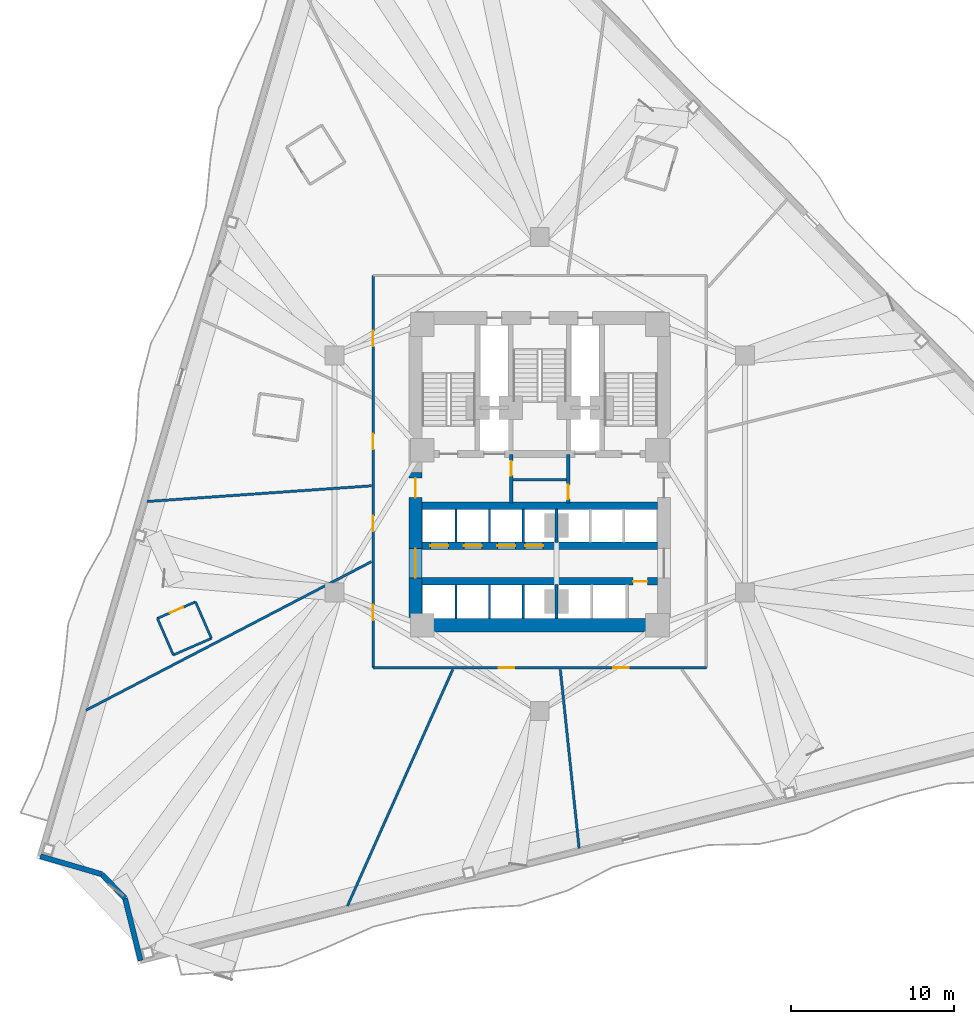
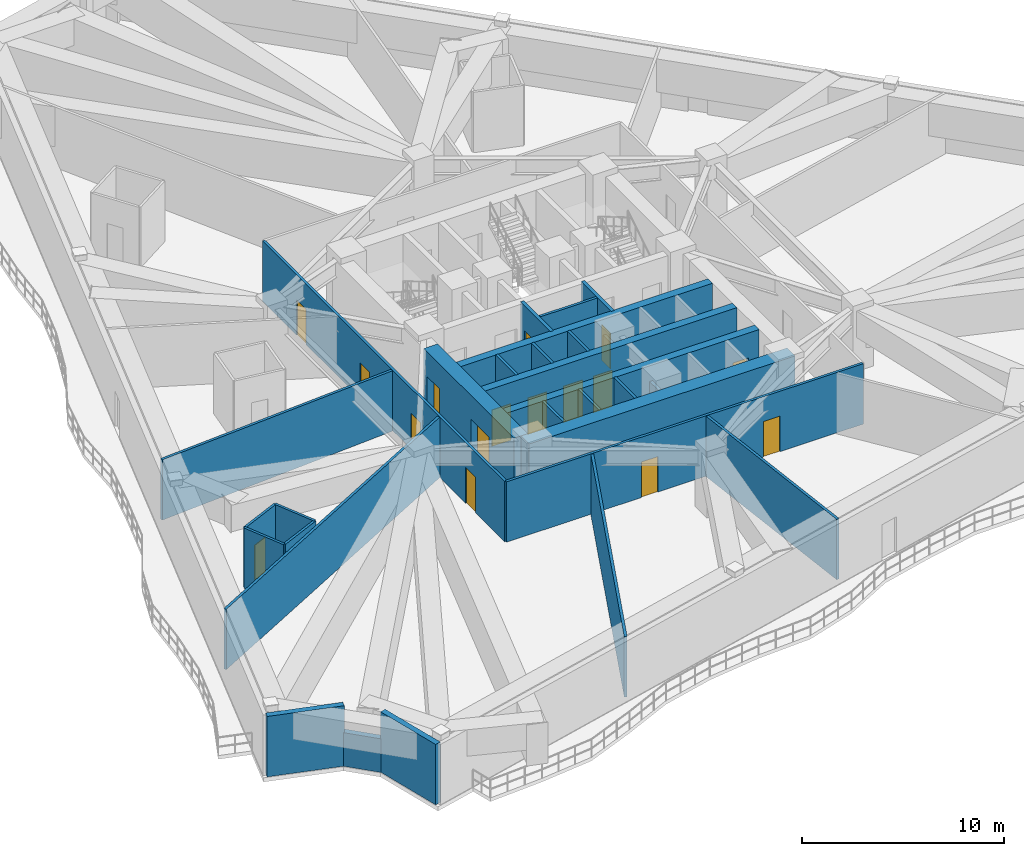
# One storey, part 7 of 14: 29 walls, 16 doors, 16 openings.
"""IFC4 building model written with IfcOpenShell, lengths in metres."""

from ifc_helpers import new_model, si_unit, direction, frame, frame_2d, origin, place, context, subcontext, project, spatial, rectangle, extrude, material, layer, layer_set, type_object, element, fill, save


model = new_model("IFC4")

# Units and contexts
model_context = context("Model", 3, precision=1e-05, world=origin(), true_north=direction((0.0, 1.0)))
body_context = subcontext(model_context, "Body", "Model", "MODEL_VIEW")
ifc_project = project(units=[si_unit("LENGTHUNIT", "METRE"), si_unit("AREAUNIT", "SQUARE_METRE"), si_unit("VOLUMEUNIT", "CUBIC_METRE"), si_unit("PLANEANGLEUNIT", "RADIAN"), si_unit("MASSUNIT", "GRAM", prefix="KILO")], contexts=[model_context])

# Site, building, storey
site_placement = place(None, origin())
site = spatial("IfcSite", under=ifc_project, at=site_placement, CompositionType="ELEMENT")
building_placement = place(site_placement, origin())
building = spatial("IfcBuilding", under=site, at=building_placement, Name="Apsidion Concourse Tower", CompositionType="ELEMENT")
storey_placement = place(building_placement, frame((0.0, 0.0, 123.0)))
storey = spatial("IfcBuildingStorey", under=building, at=storey_placement, Name="L28", CompositionType="ELEMENT", Elevation=123.0)

# Walls
ifc_material_1 = material(Name="Precast concrete C40/50", Category="concrete")
ifc_layer_1 = layer(ifc_material_1, 0.320068359375)
ifc_layer_set_1 = layer_set([ifc_layer_1], Name="Precast concrete C40/50")
wall_type_1 = type_object("IfcWallType", Name="WL-EXT-320", PredefinedType="STANDARD", material=ifc_layer_set_1)
wall_1_placement = place(storey_placement, frame((-24.4287109375, -29.771728515625, 0.0), z_axis=(0.0, 0.0, 1.0), x_axis=(-0.241863642263, 0.970310248607, 0.0)))
element("IfcWall", 1, at=wall_1_placement, inside=storey, type_object=wall_type_1, Name="L28 Precast Stone Facade Wall 06", PredefinedType="STANDARD", context=body_context, shape_type="SweptSolid", body=[
    extrude(rectangle(XDim=3.9326171875, YDim=0.320068359375, at=frame_2d((1.96630859375, 0.0))), origin(), (0.0, 0.0, 1.0), 3.64990234375),
])
wall_2_placement = place(storey_placement, frame((-25.3798828125, -25.955810546875, 0.0), z_axis=(0.0, 0.0, 1.0), x_axis=(-0.69281750058, 0.721112966802, 0.0)))
element("IfcWall", 2, at=wall_2_placement, inside=storey, type_object=wall_type_1, Name="L28 Precast Stone Facade Wall 07", PredefinedType="STANDARD", context=body_context, shape_type="SweptSolid", body=[
    extrude(rectangle(XDim=2.027587890625, YDim=0.320068359375, at=frame_2d((1.013671875, 0.0))), origin(), (0.0, 0.0, 1.0), 2.030029296875),
])
wall_3_placement = place(storey_placement, frame((-26.78466796875, -24.49365234375, 0.0), z_axis=(0.0, 0.0, 1.0), x_axis=(-0.959768832583, 0.28079136027, 0.0)))
element("IfcWall", 3, at=wall_3_placement, inside=storey, type_object=wall_type_1, Name="L28 Precast Stone Facade Wall 08", PredefinedType="STANDARD", context=body_context, shape_type="SweptSolid", body=[
    extrude(rectangle(XDim=3.9326171875, YDim=0.320068359375, at=frame_2d((1.96630859375, 0.0))), origin(), (0.0, 0.0, 1.0), 3.64990234375),
])

# Wall, opening, door
ifc_material_2 = material(Name="Gypsum plasterboard partition")
ifc_layer_2 = layer(ifc_material_2, 0.139892578125)
ifc_layer_set_2 = layer_set([ifc_layer_2], Name="Gypsum plasterboard partition")
wall_type_2 = type_object("IfcWallType", Name="WL-INT-PAR-140", PredefinedType="PARTITIONING", material=ifc_layer_set_2)
wall_4_placement = place(storey_placement, frame((-21.067138671875, -7.819091796875, 0.0), z_axis=(0.0, 0.0, 1.0), x_axis=(-0.917044076972, -0.398785858438, 0.0)))
wall_4 = element("IfcWall", 4, at=wall_4_placement, inside=storey, type_object=wall_type_2, Name="L28 Interior Partition WL-L28-POD-HKAWC-S1", PredefinedType="PARTITIONING", context=body_context, shape_type="SweptSolid", body=[
    extrude(rectangle(XDim=2.5400390625, YDim=0.139892578125, at=frame_2d((1.27001953125, 0.0))), origin(), (0.0, 0.0, 1.0), 3.64990234375),
])
opening_1_placement = place(wall_4_placement, frame((0.830078125, 0.0, 0.0)))
opening_1 = element("IfcOpeningElement", 5, at=opening_1_placement, cuts=wall_4, Name="Opening D-03L", PredefinedType="OPENING", context=body_context, shape_type="SweptSolid", body=[
    extrude(rectangle(XDim=0.8798828125, YDim=2.10009765625, at=frame_2d((0.43994140625, 1.050048828125))), frame((0.0, 0.080078125, 0.0), z_axis=(0.0, -1.0, 0.0), x_axis=(1.0, 0.0, 0.0)), (0.0, 0.0, 1.0), 0.159912109375),
])
ifc_material_3 = material(Name="Anodised aluminium EN AW-6063 T6", Category="aluminium")
door_type_1 = type_object("IfcDoorType", Name="DR-INT-D03L", OperationType="SINGLE_SWING_LEFT", PredefinedType="DOOR", material=ifc_material_3)
door_1_placement = place(opening_1_placement, origin())
door_1 = element("IfcDoor", 6, at=door_1_placement, inside=storey, type_object=door_type_1, Name="L28 Hotel Accessible WC Door HKAWC", OperationType="SINGLE_SWING_LEFT", OverallHeight=2.10009765625, OverallWidth=0.8798828125, PredefinedType="DOOR", context=body_context, shape_type="SweptSolid", body=[
    extrude(rectangle(XDim=0.8798828125, YDim=2.10009765625, at=frame_2d((0.43994140625, 1.050048828125))), frame((0.0, 0.02490234375, 0.0), z_axis=(0.0, -1.0, 0.0), x_axis=(1.0, 0.0, 0.0)), (0.0, 0.0, 1.0), 0.050048828125),
])
fill(opening_1, door_1)

# Walls
wall_5_placement = place(storey_placement, frame((-23.396484375, -8.83203125, 0.0), z_axis=(0.0, 0.0, 1.0), x_axis=(0.398744405537, -0.91706210207, 0.0)))
element("IfcWall", 7, at=wall_5_placement, inside=storey, type_object=wall_type_2, Name="L28 Interior Partition WL-L28-POD-HKAWC-S2", PredefinedType="PARTITIONING", context=body_context, shape_type="SweptSolid", body=[
    extrude(rectangle(XDim=2.43994140625, YDim=0.139892578125, at=frame_2d((1.219970703125, 0.0))), origin(), (0.0, 0.0, 1.0), 3.64990234375),
])
wall_6_placement = place(storey_placement, frame((-22.423583984375, -11.069580078125, 0.0), z_axis=(0.0, 0.0, 1.0), x_axis=(0.917079224833, 0.398705023017, 0.0)))
element("IfcWall", 8, at=wall_6_placement, inside=storey, type_object=wall_type_2, Name="L28 Interior Partition WL-L28-POD-HKAWC-S3", PredefinedType="PARTITIONING", context=body_context, shape_type="SweptSolid", body=[
    extrude(rectangle(XDim=2.5400390625, YDim=0.139892578125, at=frame_2d((1.27001953125, 0.0))), origin(), (0.0, 0.0, 1.0), 3.64990234375),
])
wall_7_placement = place(storey_placement, frame((-20.09423828125, -10.056884765625, 0.0), z_axis=(0.0, 0.0, 1.0), x_axis=(-0.398707818812, 0.917078009342, 0.0)))
element("IfcWall", 9, at=wall_7_placement, inside=storey, type_object=wall_type_2, Name="L28 Interior Partition WL-L28-POD-HKAWC-S4", PredefinedType="PARTITIONING", context=body_context, shape_type="SweptSolid", body=[
    extrude(rectangle(XDim=2.440185546875, YDim=0.139892578125, at=frame_2d((1.22021484375, 0.0))), origin(), (0.0, 0.0, 1.0), 3.64990234375),
])
ifc_layer_3 = layer(ifc_material_2, 0.14990234375)
ifc_layer_set_3 = layer_set([ifc_layer_3], Name="Gypsum plasterboard partition")
wall_type_3 = type_object("IfcWallType", Name="WL-INT-PAR-150", PredefinedType="PARTITIONING", material=ifc_layer_set_3)
for number, where, z_axis, x_axis, name in (
    (10, (-5.125, -4.179931640625, 0.0), (0.0, 0.0, 1.0), (0.0, 1.0, 0.0), "L28 Interior Partition WL-L28-B1DIV-1"),
    (11, (-3.074951171875, -4.179931640625, 0.0), (0.0, 0.0, 1.0), (0.0, 1.0, 0.0), "L28 Interior Partition WL-L28-B1DIV-2"),
    (12, (-1.02490234375, -4.179931640625, 0.0), (0.0, 0.0, 1.0), (0.0, 1.0, 0.0), "L28 Interior Partition WL-L28-B1DIV-3"),
):
    element("IfcWall", number, at=place(storey_placement, frame(where, z_axis=z_axis, x_axis=x_axis)), inside=storey, type_object=wall_type_3, Name=name, PredefinedType="PARTITIONING", context=body_context, shape_type="SweptSolid", body=[
        extrude(rectangle(XDim=2.030029296875, YDim=0.14990234375, at=frame_2d((1.01513671875, 0.0))), origin(), (0.0, 0.0, 1.0), 3.64990234375),
    ])
for number, where, z_axis, x_axis, name in (
    (13, (-5.125, -8.85009765625, 0.0), (0.0, 0.0, 1.0), (0.0, 1.0, 0.0), "L28 Interior Partition WL-L28-B2DIV-1"),
    (14, (-3.074951171875, -8.85009765625, 0.0), (0.0, 0.0, 1.0), (0.0, 1.0, 0.0), "L28 Interior Partition WL-L28-B2DIV-2"),
    (15, (-1.02490234375, -8.85009765625, 0.0), (0.0, 0.0, 1.0), (0.0, 1.0, 0.0), "L28 Interior Partition WL-L28-B2DIV-3"),
):
    element("IfcWall", number, at=place(storey_placement, frame(where, z_axis=z_axis, x_axis=x_axis)), inside=storey, type_object=wall_type_3, Name=name, PredefinedType="PARTITIONING", context=body_context, shape_type="SweptSolid", body=[
        extrude(rectangle(XDim=2.080078125, YDim=0.14990234375, at=frame_2d((1.0400390625, 0.0))), origin(), (0.0, 0.0, 1.0), 3.64990234375),
    ])
wall_8_placement = place(storey_placement, frame((-1.6298828125, -0.35009765625, 0.0), z_axis=(0.0, 0.0, 1.0), x_axis=(1.0, 0.0, 0.0)))
element("IfcWall", 16, at=wall_8_placement, inside=storey, type_object=wall_type_3, Name="L28 Interior Partition WL-L28-K2H", PredefinedType="PARTITIONING", context=body_context, shape_type="SweptSolid", body=[
    extrude(rectangle(XDim=3.259765625, YDim=0.14990234375, at=frame_2d((1.6298828125, 0.0))), origin(), (0.0, 0.0, 1.0), 3.64990234375),
])

# Wall, openings, doors
wall_9_placement = place(storey_placement, frame((10.199951171875, -11.85009765625, 0.0), z_axis=(0.0, 0.0, 1.0), x_axis=(-1.0, 0.0, 0.0)))
wall_9 = element("IfcWall", 17, at=wall_9_placement, inside=storey, type_object=wall_type_3, Name="L28 Interior Partition WL-L28-CORR-03", PredefinedType="PARTITIONING", context=body_context, shape_type="SweptSolid", body=[
    extrude(rectangle(XDim=20.39990234375, YDim=0.14990234375, at=frame_2d((10.199951171875, 0.0))), origin(), (0.0, 0.0, 1.0), 3.64990234375),
])
opening_2_placement = place(wall_9_placement, frame((11.752685546875, 0.0, 0.0)))
opening_2 = element("IfcOpeningElement", 18, at=opening_2_placement, cuts=wall_9, Name="Opening D-01L", PredefinedType="OPENING", context=body_context, shape_type="SweptSolid", body=[
    extrude(rectangle(XDim=0.949951171875, YDim=2.14990234375, at=frame_2d((0.47509765625, 1.074951171875))), frame((0.0, 0.0849609375, 0.0), z_axis=(0.0, -1.0, 0.0), x_axis=(1.0, 0.0, 0.0)), (0.0, 0.0, 1.0), 0.169921875),
])
opening_3_placement = place(wall_9_placement, frame((4.757568359375, 0.0, 0.0)))
opening_3 = element("IfcOpeningElement", 19, at=opening_3_placement, cuts=wall_9, Name="Opening D-01R", PredefinedType="OPENING", context=body_context, shape_type="SweptSolid", body=[
    extrude(rectangle(XDim=0.949951171875, YDim=2.14990234375, at=frame_2d((0.47509765625, 1.074951171875))), frame((0.0, 0.0849609375, 0.0), z_axis=(0.0, -1.0, 0.0), x_axis=(1.0, 0.0, 0.0)), (0.0, 0.0, 1.0), 0.169921875),
])
ifc_material_4 = material(Name="Brushed stainless steel 316", Category="steel")
door_type_2 = type_object("IfcDoorType", Name="DR-INT-D01L", OperationType="SINGLE_SWING_LEFT", PredefinedType="DOOR", material=ifc_material_4)
door_2_placement = place(opening_2_placement, origin())
door_2 = element("IfcDoor", 20, at=door_2_placement, inside=storey, type_object=door_type_2, Name="L28 Corridor Entry Door 03", OperationType="SINGLE_SWING_LEFT", OverallHeight=2.14990234375, OverallWidth=0.949951171875, PredefinedType="DOOR", context=body_context, shape_type="SweptSolid", body=[
    extrude(rectangle(XDim=0.949951171875, YDim=2.14990234375, at=frame_2d((0.47509765625, 1.074951171875))), frame((0.0, 0.02490234375, 0.0), z_axis=(0.0, -1.0, 0.0), x_axis=(1.0, 0.0, 0.0)), (0.0, 0.0, 1.0), 0.050048828125),
])
fill(opening_2, door_2)
door_type_3 = type_object("IfcDoorType", Name="DR-INT-D01R", OperationType="SINGLE_SWING_RIGHT", PredefinedType="DOOR", material=ifc_material_4)
door_3_placement = place(opening_3_placement, origin())
door_3 = element("IfcDoor", 21, at=door_3_placement, inside=storey, type_object=door_type_3, Name="L28 Corridor Entry Door 04", OperationType="SINGLE_SWING_RIGHT", OverallHeight=2.14990234375, OverallWidth=0.949951171875, PredefinedType="DOOR", context=body_context, shape_type="SweptSolid", body=[
    extrude(rectangle(XDim=0.949951171875, YDim=2.14990234375, at=frame_2d((0.47509765625, 1.074951171875))), frame((0.0, 0.02490234375, 0.0), z_axis=(0.0, -1.0, 0.0), x_axis=(1.0, 0.0, 0.0)), (0.0, 0.0, 1.0), 0.050048828125),
])
fill(opening_3, door_3)

wall_10_placement = place(storey_placement, frame((-10.199951171875, -11.85009765625, 0.0), z_axis=(0.0, 0.0, 1.0), x_axis=(0.0, 1.0, 0.0)))
wall_10 = element("IfcWall", 22, at=wall_10_placement, inside=storey, type_object=wall_type_3, Name="L28 Interior Partition WL-L28-CORR-04", PredefinedType="PARTITIONING", context=body_context, shape_type="SweptSolid", body=[
    extrude(rectangle(XDim=24.0, YDim=0.14990234375, at=frame_2d((12.0, 0.0))), origin(), (0.0, 0.0, 1.0), 3.64990234375),
])
opening_4_placement = place(wall_10_placement, frame((8.337890625, 0.0, 0.0)))
opening_4 = element("IfcOpeningElement", 23, at=opening_4_placement, cuts=wall_10, Name="Opening D-01L", PredefinedType="OPENING", context=body_context, shape_type="SweptSolid", body=[
    extrude(rectangle(XDim=0.949951171875, YDim=2.14990234375, at=frame_2d((0.47509765625, 1.074951171875))), frame((0.0, 0.0849609375, 0.0), z_axis=(0.0, -1.0, 0.0), x_axis=(1.0, 0.0, 0.0)), (0.0, 0.0, 1.0), 0.169921875),
])
opening_5_placement = place(wall_10_placement, frame((2.89697265625, 0.0, 0.0)))
opening_5 = element("IfcOpeningElement", 24, at=opening_5_placement, cuts=wall_10, Name="Opening D-01R", PredefinedType="OPENING", context=body_context, shape_type="SweptSolid", body=[
    extrude(rectangle(XDim=0.949951171875, YDim=2.14990234375, at=frame_2d((0.47509765625, 1.074951171875))), frame((0.0, 0.0849609375, 0.0), z_axis=(0.0, -1.0, 0.0), x_axis=(1.0, 0.0, 0.0)), (0.0, 0.0, 1.0), 0.169921875),
])
opening_6_placement = place(wall_10_placement, frame((19.668212890625, 0.0, 0.0)))
opening_6 = element("IfcOpeningElement", 25, at=opening_6_placement, cuts=wall_10, Name="Opening D-01L", PredefinedType="OPENING", context=body_context, shape_type="SweptSolid", body=[
    extrude(rectangle(XDim=0.949951171875, YDim=2.14990234375, at=frame_2d((0.47509765625, 1.074951171875))), frame((0.0, 0.0849609375, 0.0), z_axis=(0.0, -1.0, 0.0), x_axis=(1.0, 0.0, 0.0)), (0.0, 0.0, 1.0), 0.169921875),
])
opening_7_placement = place(wall_10_placement, frame((13.358642578125, 0.0, 0.0)))
opening_7 = element("IfcOpeningElement", 26, at=opening_7_placement, cuts=wall_10, Name="Opening D-01R", PredefinedType="OPENING", context=body_context, shape_type="SweptSolid", body=[
    extrude(rectangle(XDim=0.949951171875, YDim=2.14990234375, at=frame_2d((0.47509765625, 1.074951171875))), frame((0.0, 0.0849609375, 0.0), z_axis=(0.0, -1.0, 0.0), x_axis=(1.0, 0.0, 0.0)), (0.0, 0.0, 1.0), 0.169921875),
])
door_4_placement = place(opening_4_placement, origin())
door_4 = element("IfcDoor", 27, at=door_4_placement, inside=storey, type_object=door_type_2, Name="L28 Corridor Entry Door 01", OperationType="SINGLE_SWING_LEFT", OverallHeight=2.14990234375, OverallWidth=0.949951171875, PredefinedType="DOOR", context=body_context, shape_type="SweptSolid", body=[
    extrude(rectangle(XDim=0.949951171875, YDim=2.14990234375, at=frame_2d((0.47509765625, 1.074951171875))), frame((0.0, 0.02490234375, 0.0), z_axis=(0.0, -1.0, 0.0), x_axis=(1.0, 0.0, 0.0)), (0.0, 0.0, 1.0), 0.050048828125),
])
fill(opening_4, door_4)
door_5_placement = place(opening_6_placement, origin())
door_5 = element("IfcDoor", 28, at=door_5_placement, inside=storey, type_object=door_type_2, Name="L28 Corridor Entry Door 09", OperationType="SINGLE_SWING_LEFT", OverallHeight=2.14990234375, OverallWidth=0.949951171875, PredefinedType="DOOR", context=body_context, shape_type="SweptSolid", body=[
    extrude(rectangle(XDim=0.949951171875, YDim=2.14990234375, at=frame_2d((0.47509765625, 1.074951171875))), frame((0.0, 0.02490234375, 0.0), z_axis=(0.0, -1.0, 0.0), x_axis=(1.0, 0.0, 0.0)), (0.0, 0.0, 1.0), 0.050048828125),
])
fill(opening_6, door_5)
door_6_placement = place(opening_5_placement, origin())
door_6 = element("IfcDoor", 29, at=door_6_placement, inside=storey, type_object=door_type_3, Name="L28 Corridor Entry Door 02", OperationType="SINGLE_SWING_RIGHT", OverallHeight=2.14990234375, OverallWidth=0.949951171875, PredefinedType="DOOR", context=body_context, shape_type="SweptSolid", body=[
    extrude(rectangle(XDim=0.949951171875, YDim=2.14990234375, at=frame_2d((0.47509765625, 1.074951171875))), frame((0.0, 0.02490234375, 0.0), z_axis=(0.0, -1.0, 0.0), x_axis=(1.0, 0.0, 0.0)), (0.0, 0.0, 1.0), 0.050048828125),
])
fill(opening_5, door_6)
door_7_placement = place(opening_7_placement, origin())
door_7 = element("IfcDoor", 30, at=door_7_placement, inside=storey, type_object=door_type_3, Name="L28 Corridor Entry Door 10", OperationType="SINGLE_SWING_RIGHT", OverallHeight=2.14990234375, OverallWidth=0.949951171875, PredefinedType="DOOR", context=body_context, shape_type="SweptSolid", body=[
    extrude(rectangle(XDim=0.949951171875, YDim=2.14990234375, at=frame_2d((0.47509765625, 1.074951171875))), frame((0.0, 0.02490234375, 0.0), z_axis=(0.0, -1.0, 0.0), x_axis=(1.0, 0.0, 0.0)), (0.0, 0.0, 1.0), 0.050048828125),
])
fill(opening_7, door_7)

# Walls
wall_11_placement = place(storey_placement, frame((-10.304931640625, -0.720703125, 0.0), z_axis=(0.0, 0.0, 1.0), x_axis=(-0.997563996849, -0.069757237551, 0.0)))
element("IfcWall", 31, at=wall_11_placement, inside=storey, type_object=wall_type_3, Name="L28 Interior Partition WL-L28-RAD-06-1", PredefinedType="PARTITIONING", context=body_context, shape_type="SweptSolid", body=[
    extrude(rectangle(XDim=13.75439453125, YDim=0.14990234375, at=frame_2d((6.877197265625, 0.0))), origin(), (0.0, 0.0, 1.0), 3.64990234375),
])
wall_12_placement = place(storey_placement, frame((-10.304931640625, -5.364501953125, 0.0), z_axis=(0.0, 0.0, 1.0), x_axis=(-0.887011579791, -0.461747179002, 0.0)))
element("IfcWall", 32, at=wall_12_placement, inside=storey, type_object=wall_type_3, Name="L28 Interior Partition WL-L28-RAD-07-1", PredefinedType="PARTITIONING", context=body_context, shape_type="SweptSolid", body=[
    extrude(rectangle(XDim=19.680908203125, YDim=0.14990234375, at=frame_2d((9.84033203125, 0.0))), origin(), (0.0, 0.0, 1.0), 3.64990234375),
])
wall_13_placement = place(storey_placement, frame((-5.32275390625, -11.955078125, 0.0), z_axis=(0.0, 0.0, 1.0), x_axis=(-0.406742899109, -0.913542672252, 0.0)))
element("IfcWall", 33, at=wall_13_placement, inside=storey, type_object=wall_type_3, Name="L28 Interior Partition WL-L28-RAD-08-1", PredefinedType="PARTITIONING", context=body_context, shape_type="SweptSolid", body=[
    extrude(rectangle(XDim=15.850341796875, YDim=0.14990234375, at=frame_2d((7.92529296875, 0.0))), origin(), (0.0, 0.0, 1.0), 3.64990234375),
])
wall_14_placement = place(storey_placement, frame((1.256591796875, -11.955078125, 0.0), z_axis=(0.0, 0.0, 1.0), x_axis=(0.104527737562, -0.994521971643, 0.0)))
element("IfcWall", 34, at=wall_14_placement, inside=storey, type_object=wall_type_3, Name="L28 Interior Partition WL-L28-RAD-09-1", PredefinedType="PARTITIONING", context=body_context, shape_type="SweptSolid", body=[
    extrude(rectangle(XDim=11.005615234375, YDim=0.14990234375, at=frame_2d((5.5029296875, 0.0))), origin(), (0.0, 0.0, 1.0), 3.64990234375),
])
ifc_layer_4 = layer(ifc_material_2, 0.179931640625)
ifc_layer_set_4 = layer_set([ifc_layer_4], Name="Gypsum plasterboard partition")
wall_type_4 = type_object("IfcWallType", Name="WL-INT-PAR-180", PredefinedType="PARTITIONING", material=ifc_layer_set_4)
wall_15_placement = place(storey_placement, frame((1.02490234375, -4.179931640625, 0.0), z_axis=(0.0, 0.0, 1.0), x_axis=(0.0, 1.0, 0.0)))
element("IfcWall", 35, at=wall_15_placement, inside=storey, type_object=wall_type_4, Name="L28 Interior Partition WL-L28-B1END", PredefinedType="PARTITIONING", context=body_context, shape_type="SweptSolid", body=[
    extrude(rectangle(XDim=2.030029296875, YDim=0.179931640625, at=frame_2d((1.01513671875, 0.0))), origin(), (0.0, 0.0, 1.0), 2.697998046875),
])
wall_16_placement = place(storey_placement, frame((1.02490234375, -8.85009765625, 0.0), z_axis=(0.0, 0.0, 1.0), x_axis=(0.0, 1.0, 0.0)))
element("IfcWall", 36, at=wall_16_placement, inside=storey, type_object=wall_type_4, Name="L28 Interior Partition WL-L28-B2END", PredefinedType="PARTITIONING", context=body_context, shape_type="SweptSolid", body=[
    extrude(rectangle(XDim=2.080078125, YDim=0.179931640625, at=frame_2d((1.0400390625, 0.0))), origin(), (0.0, 0.0, 1.0), 2.697998046875),
])

# Wall, opening, door
ifc_layer_5 = layer(ifc_material_2, 0.199951171875)
ifc_layer_set_5 = layer_set([ifc_layer_5], Name="Gypsum plasterboard partition")
wall_type_5 = type_object("IfcWallType", Name="WL-INT-PAR-200", PredefinedType="PARTITIONING", material=ifc_layer_set_5)
wall_17_placement = place(storey_placement, frame((-1.739990234375, -1.780029296875, 0.0), z_axis=(0.0, 0.0, 1.0), x_axis=(0.0, 1.0, 0.0)))
wall_17 = element("IfcWall", 37, at=wall_17_placement, inside=storey, type_object=wall_type_5, Name="L28 Interior Partition WL-L28-FF1-E", PredefinedType="PARTITIONING", context=body_context, shape_type="SweptSolid", body=[
    extrude(rectangle(XDim=2.97998046875, YDim=0.199951171875, at=frame_2d((1.489990234375, 0.0))), origin(), (0.0, 0.0, 1.0), 3.64990234375),
])
opening_8_placement = place(wall_17_placement, frame((1.68994140625, 0.0, 0.0)))
opening_8 = element("IfcOpeningElement", 38, at=opening_8_placement, cuts=wall_17, Name="Opening D-05L", PredefinedType="OPENING", context=body_context, shape_type="SweptSolid", body=[
    extrude(rectangle(XDim=0.8798828125, YDim=2.14990234375, at=frame_2d((0.43994140625, 1.074951171875))), frame((0.0, 0.10986328125, 0.0), z_axis=(0.0, -1.0, 0.0), x_axis=(1.0, 0.0, 0.0)), (0.0, 0.0, 1.0), 0.219970703125),
])
door_type_4 = type_object("IfcDoorType", Name="DR-INT-D05L", OperationType="SINGLE_SWING_LEFT", PredefinedType="DOOR", material=ifc_material_4)
door_8_placement = place(opening_8_placement, origin())
door_8 = element("IfcDoor", 39, at=door_8_placement, inside=storey, type_object=door_type_4, Name="L28 Core Staff WC Door", OperationType="SINGLE_SWING_LEFT", OverallHeight=2.14990234375, OverallWidth=0.8798828125, PredefinedType="DOOR", context=body_context, shape_type="SweptSolid", body=[
    extrude(rectangle(XDim=0.8798828125, YDim=2.14990234375, at=frame_2d((0.43994140625, 1.074951171875))), frame((0.0, 0.02490234375, 0.0), z_axis=(0.0, -1.0, 0.0), x_axis=(1.0, 0.0, 0.0)), (0.0, 0.0, 1.0), 0.050048828125),
])
fill(opening_8, door_8)

wall_18_placement = place(storey_placement, frame((1.739990234375, -1.780029296875, 0.0), z_axis=(0.0, 0.0, 1.0), x_axis=(0.0, 1.0, 0.0)))
wall_18 = element("IfcWall", 40, at=wall_18_placement, inside=storey, type_object=wall_type_5, Name="L28 Interior Partition WL-L28-FF2-W", PredefinedType="PARTITIONING", context=body_context, shape_type="SweptSolid", body=[
    extrude(rectangle(XDim=2.97998046875, YDim=0.199951171875, at=frame_2d((1.489990234375, 0.0))), origin(), (0.0, 0.0, 1.0), 3.64990234375),
])
opening_9_placement = place(wall_18_placement, frame((0.239990234375, 0.0, 0.0)))
opening_9 = element("IfcOpeningElement", 41, at=opening_9_placement, cuts=wall_18, Name="Opening D-05R", PredefinedType="OPENING", context=body_context, shape_type="SweptSolid", body=[
    extrude(rectangle(XDim=0.8798828125, YDim=2.14990234375, at=frame_2d((0.43994140625, 1.074951171875))), frame((0.0, 0.10986328125, 0.0), z_axis=(0.0, -1.0, 0.0), x_axis=(1.0, 0.0, 0.0)), (0.0, 0.0, 1.0), 0.219970703125),
])
door_type_5 = type_object("IfcDoorType", Name="DR-INT-D05R", OperationType="SINGLE_SWING_RIGHT", PredefinedType="DOOR", material=ifc_material_4)
door_9_placement = place(opening_9_placement, origin())
door_9 = element("IfcDoor", 42, at=door_9_placement, inside=storey, type_object=door_type_5, Name="L28 Core Supply Store Door", OperationType="SINGLE_SWING_RIGHT", OverallHeight=2.14990234375, OverallWidth=0.8798828125, PredefinedType="DOOR", context=body_context, shape_type="SweptSolid", body=[
    extrude(rectangle(XDim=0.8798828125, YDim=2.14990234375, at=frame_2d((0.43994140625, 1.074951171875))), frame((0.0, 0.02490234375, 0.0), z_axis=(0.0, -1.0, 0.0), x_axis=(1.0, 0.0, 0.0)), (0.0, 0.0, 1.0), 0.050048828125),
])
fill(opening_9, door_9)

# Wall
ifc_material_5 = material(Name="Concrete C60/75", Category="concrete")
ifc_layer_6 = layer(ifc_material_5, 0.449951171875)
ifc_layer_set_6 = layer_set([ifc_layer_6], Name="Concrete C60/75")
wall_type_6 = type_object("IfcWallType", Name="WL-SH-450", PredefinedType="SHEAR", material=ifc_layer_set_6)
wall_19_placement = place(storey_placement, frame((-7.199951171875, -1.949951171875, 0.0), z_axis=(0.0, 0.0, 1.0), x_axis=(1.0, 0.0, 0.0)))
element("IfcWall", 43, at=wall_19_placement, inside=storey, type_object=wall_type_6, Name="L28 Central Core Shear Wall M2", PredefinedType="SHEAR", context=body_context, shape_type="SweptSolid", body=[
    extrude(rectangle(XDim=14.39990234375, YDim=0.449951171875, at=frame_2d((7.199951171875, 0.0))), origin(), (0.0, 0.0, 1.0), 3.64990234375),
])

# Wall, openings, doors
wall_20_placement = place(storey_placement, frame((-7.199951171875, -4.3798828125, 0.0), z_axis=(0.0, 0.0, 1.0), x_axis=(1.0, 0.0, 0.0)))
wall_20 = element("IfcWall", 44, at=wall_20_placement, inside=storey, type_object=wall_type_6, Name="L28 Central Core Shear Wall LA", PredefinedType="SHEAR", context=body_context, shape_type="SweptSolid", body=[
    extrude(rectangle(XDim=14.39990234375, YDim=0.449951171875, at=frame_2d((7.199951171875, 0.0))), origin(), (0.0, 0.0, 1.0), 3.64990234375),
])
opening_10_placement = place(wall_20_placement, frame((0.5, 0.0, 0.0)))
opening_10 = element("IfcOpeningElement", 45, at=opening_10_placement, cuts=wall_20, Name="Opening LD-P1", PredefinedType="OPENING", context=body_context, shape_type="SweptSolid", body=[
    extrude(rectangle(XDim=1.10009765625, YDim=2.199951171875, at=frame_2d((0.550048828125, 1.10009765625))), frame((0.0, 0.23486328125, 0.0), z_axis=(0.0, -1.0, 0.0), x_axis=(1.0, 0.0, 0.0)), (0.0, 0.0, 1.0), 0.469970703125),
])
opening_11_placement = place(wall_20_placement, frame((2.550048828125, 0.0, 0.0)))
opening_11 = element("IfcOpeningElement", 46, at=opening_11_placement, cuts=wall_20, Name="Opening LD-P1", PredefinedType="OPENING", context=body_context, shape_type="SweptSolid", body=[
    extrude(rectangle(XDim=1.10009765625, YDim=2.199951171875, at=frame_2d((0.550048828125, 1.10009765625))), frame((0.0, 0.23486328125, 0.0), z_axis=(0.0, -1.0, 0.0), x_axis=(1.0, 0.0, 0.0)), (0.0, 0.0, 1.0), 0.469970703125),
])
opening_12_placement = place(wall_20_placement, frame((4.60009765625, 0.0, 0.0)))
opening_12 = element("IfcOpeningElement", 47, at=opening_12_placement, cuts=wall_20, Name="Opening LD-P1", PredefinedType="OPENING", context=body_context, shape_type="SweptSolid", body=[
    extrude(rectangle(XDim=1.10009765625, YDim=2.199951171875, at=frame_2d((0.550048828125, 1.10009765625))), frame((0.0, 0.23486328125, 0.0), z_axis=(0.0, -1.0, 0.0), x_axis=(1.0, 0.0, 0.0)), (0.0, 0.0, 1.0), 0.469970703125),
])
opening_13_placement = place(wall_20_placement, frame((6.300048828125, 0.0, 0.0)))
opening_13 = element("IfcOpeningElement", 48, at=opening_13_placement, cuts=wall_20, Name="Opening LD-P1", PredefinedType="OPENING", context=body_context, shape_type="SweptSolid", body=[
    extrude(rectangle(XDim=1.10009765625, YDim=2.199951171875, at=frame_2d((0.550048828125, 1.10009765625))), frame((0.0, 0.23486328125, 0.0), z_axis=(0.0, -1.0, 0.0), x_axis=(1.0, 0.0, 0.0)), (0.0, 0.0, 1.0), 0.469970703125),
])
door_type_6 = type_object("IfcDoorType", Name="DR-LD-PASS", OperationType="DOUBLE_DOOR_SLIDING", PredefinedType="DOOR", material=ifc_material_4)
door_10_placement = place(opening_10_placement, origin())
door_10 = element("IfcDoor", 49, at=door_10_placement, inside=storey, type_object=door_type_6, Name="L28 Lift Landing Door P1", OperationType="DOUBLE_DOOR_SLIDING", OverallHeight=2.199951171875, OverallWidth=1.10009765625, PredefinedType="DOOR", context=body_context, shape_type="SweptSolid", body=[
    extrude(rectangle(XDim=1.10009765625, YDim=2.199951171875, at=frame_2d((0.550048828125, 1.10009765625))), frame((0.0, 0.02490234375, 0.0), z_axis=(0.0, -1.0, 0.0), x_axis=(1.0, 0.0, 0.0)), (0.0, 0.0, 1.0), 0.050048828125),
])
fill(opening_10, door_10)
door_11_placement = place(opening_11_placement, origin())
door_11 = element("IfcDoor", 50, at=door_11_placement, inside=storey, type_object=door_type_6, Name="L28 Lift Landing Door P2", OperationType="DOUBLE_DOOR_SLIDING", OverallHeight=2.199951171875, OverallWidth=1.10009765625, PredefinedType="DOOR", context=body_context, shape_type="SweptSolid", body=[
    extrude(rectangle(XDim=1.10009765625, YDim=2.199951171875, at=frame_2d((0.550048828125, 1.10009765625))), frame((0.0, 0.02490234375, 0.0), z_axis=(0.0, -1.0, 0.0), x_axis=(1.0, 0.0, 0.0)), (0.0, 0.0, 1.0), 0.050048828125),
])
fill(opening_11, door_11)
door_12_placement = place(opening_12_placement, origin())
door_12 = element("IfcDoor", 51, at=door_12_placement, inside=storey, type_object=door_type_6, Name="L28 Lift Landing Door P3", OperationType="DOUBLE_DOOR_SLIDING", OverallHeight=2.199951171875, OverallWidth=1.10009765625, PredefinedType="DOOR", context=body_context, shape_type="SweptSolid", body=[
    extrude(rectangle(XDim=1.10009765625, YDim=2.199951171875, at=frame_2d((0.550048828125, 1.10009765625))), frame((0.0, 0.02490234375, 0.0), z_axis=(0.0, -1.0, 0.0), x_axis=(1.0, 0.0, 0.0)), (0.0, 0.0, 1.0), 0.050048828125),
])
fill(opening_12, door_12)
door_13_placement = place(opening_13_placement, origin())
door_13 = element("IfcDoor", 52, at=door_13_placement, inside=storey, type_object=door_type_6, Name="L28 Lift Landing Door P4", OperationType="DOUBLE_DOOR_SLIDING", OverallHeight=2.199951171875, OverallWidth=1.10009765625, PredefinedType="DOOR", context=body_context, shape_type="SweptSolid", body=[
    extrude(rectangle(XDim=1.10009765625, YDim=2.199951171875, at=frame_2d((0.550048828125, 1.10009765625))), frame((0.0, 0.02490234375, 0.0), z_axis=(0.0, -1.0, 0.0), x_axis=(1.0, 0.0, 0.0)), (0.0, 0.0, 1.0), 0.050048828125),
])
fill(opening_13, door_13)

# Wall, opening, door
wall_21_placement = place(storey_placement, frame((-7.199951171875, -6.570068359375, 0.0), z_axis=(0.0, 0.0, 1.0), x_axis=(1.0, 0.0, 0.0)))
wall_21 = element("IfcWall", 53, at=wall_21_placement, inside=storey, type_object=wall_type_6, Name="L28 Central Core Shear Wall LB", PredefinedType="SHEAR", context=body_context, shape_type="SweptSolid", body=[
    extrude(rectangle(XDim=14.39990234375, YDim=0.449951171875, at=frame_2d((7.199951171875, 0.0))), origin(), (0.0, 0.0, 1.0), 3.64990234375),
])
opening_14_placement = place(wall_21_placement, frame((12.909912109375, 0.0, 0.0)))
opening_14 = element("IfcOpeningElement", 54, at=opening_14_placement, cuts=wall_21, Name="Opening D-05L", PredefinedType="OPENING", context=body_context, shape_type="SweptSolid", body=[
    extrude(rectangle(XDim=0.8798828125, YDim=2.14990234375, at=frame_2d((0.43994140625, 1.074951171875))), frame((0.0, 0.23486328125, 0.0), z_axis=(0.0, -1.0, 0.0), x_axis=(1.0, 0.0, 0.0)), (0.0, 0.0, 1.0), 0.469970703125),
])
door_14_placement = place(opening_14_placement, origin())
door_14 = element("IfcDoor", 55, at=door_14_placement, inside=storey, type_object=door_type_4, Name="L28 Cleaners Store Door", OperationType="SINGLE_SWING_LEFT", OverallHeight=2.14990234375, OverallWidth=0.8798828125, PredefinedType="DOOR", context=body_context, shape_type="SweptSolid", body=[
    extrude(rectangle(XDim=0.8798828125, YDim=2.14990234375, at=frame_2d((0.43994140625, 1.074951171875))), frame((0.0, 0.02490234375, 0.0), z_axis=(0.0, -1.0, 0.0), x_axis=(1.0, 0.0, 0.0)), (0.0, 0.0, 1.0), 0.050048828125),
])
fill(opening_14, door_14)

# Wall, openings, doors
ifc_layer_7 = layer(ifc_material_5, 0.800048828125)
ifc_layer_set_7 = layer_set([ifc_layer_7], Name="Concrete C60/75")
wall_type_7 = type_object("IfcWallType", Name="WL-SH-800", PredefinedType="SHEAR", material=ifc_layer_set_7)
wall_22_placement = place(storey_placement, frame((-7.60009765625, -8.85009765625, 0.0), z_axis=(0.0, 0.0, 1.0), x_axis=(0.0, 1.0, 0.0)))
wall_22 = element("IfcWall", 56, at=wall_22_placement, inside=storey, type_object=wall_type_7, Name="L28 Central Core Shear Wall WS", PredefinedType="SHEAR", context=body_context, shape_type="SweptSolid", body=[
    extrude(rectangle(XDim=8.9501953125, YDim=0.800048828125, at=frame_2d((4.47509765625, 0.0))), origin(), (0.0, 0.0, 1.0), 3.64990234375),
])
opening_15_placement = place(wall_22_placement, frame((2.489990234375, 0.0, 0.0)))
opening_15 = element("IfcOpeningElement", 57, at=opening_15_placement, cuts=wall_22, Name="Opening D-06D", PredefinedType="OPENING", context=body_context, shape_type="SweptSolid", body=[
    extrude(rectangle(XDim=1.800048828125, YDim=2.199951171875, at=frame_2d((0.89990234375, 1.10009765625))), frame((0.0, 0.41015625, 0.0), z_axis=(0.0, -1.0, 0.0), x_axis=(1.0, 0.0, 0.0)), (0.0, 0.0, 1.0), 0.820068359375),
])
opening_16_placement = place(wall_22_placement, frame((7.39990234375, 0.0, 0.0)))
opening_16 = element("IfcOpeningElement", 58, at=opening_16_placement, cuts=wall_22, Name="Opening D-FFL", PredefinedType="OPENING", context=body_context, shape_type="SweptSolid", body=[
    extrude(rectangle(XDim=1.199951171875, YDim=2.14990234375, at=frame_2d((0.60009765625, 1.074951171875))), frame((0.0, 0.41015625, 0.0), z_axis=(0.0, -1.0, 0.0), x_axis=(1.0, 0.0, 0.0)), (0.0, 0.0, 1.0), 0.820068359375),
])
door_type_7 = type_object("IfcDoorType", Name="DR-INT-D06D", OperationType="DOUBLE_DOOR_SINGLE_SWING", PredefinedType="DOOR", material=ifc_material_4)
door_15_placement = place(opening_15_placement, origin())
door_15 = element("IfcDoor", 59, at=door_15_placement, inside=storey, type_object=door_type_7, Name="L28 Passenger Lift Lobby WS Portal Door", OperationType="DOUBLE_DOOR_SINGLE_SWING", OverallHeight=2.199951171875, OverallWidth=1.800048828125, PredefinedType="DOOR", context=body_context, shape_type="SweptSolid", body=[
    extrude(rectangle(XDim=1.800048828125, YDim=2.199951171875, at=frame_2d((0.89990234375, 1.10009765625))), frame((0.0, 0.02490234375, 0.0), z_axis=(0.0, -1.0, 0.0), x_axis=(1.0, 0.0, 0.0)), (0.0, 0.0, 1.0), 0.050048828125),
])
fill(opening_15, door_15)
door_type_8 = type_object("IfcDoorType", Name="DR-INT-FFL", OperationType="SINGLE_SWING_LEFT", PredefinedType="DOOR", material=ifc_material_4)
door_16_placement = place(opening_16_placement, origin())
door_16 = element("IfcDoor", 60, at=door_16_placement, inside=storey, type_object=door_type_8, Name="L28 Firefighting Lift Lobby FF1 Door", OperationType="SINGLE_SWING_LEFT", OverallHeight=2.14990234375, OverallWidth=1.199951171875, PredefinedType="DOOR", context=body_context, shape_type="SweptSolid", body=[
    extrude(rectangle(XDim=1.199951171875, YDim=2.14990234375, at=frame_2d((0.60009765625, 1.074951171875))), frame((0.0, 0.02490234375, 0.0), z_axis=(0.0, -1.0, 0.0), x_axis=(1.0, 0.0, 0.0)), (0.0, 0.0, 1.0), 0.050048828125),
])
fill(opening_16, door_16)

# Wall
wall_23_placement = place(storey_placement, frame((-7.60009765625, -9.25, 0.0), z_axis=(0.0, 0.0, 1.0), x_axis=(1.0, 0.0, 0.0)))
element("IfcWall", 61, at=wall_23_placement, inside=storey, type_object=wall_type_7, Name="L28 Central Core Shear Wall S", PredefinedType="SHEAR", context=body_context, shape_type="SweptSolid", body=[
    extrude(rectangle(XDim=15.2001953125, YDim=0.800048828125, at=frame_2d((7.60009765625, 0.0))), origin(), (0.0, 0.0, 1.0), 3.64990234375),
])

save(model, "model.ifc")
